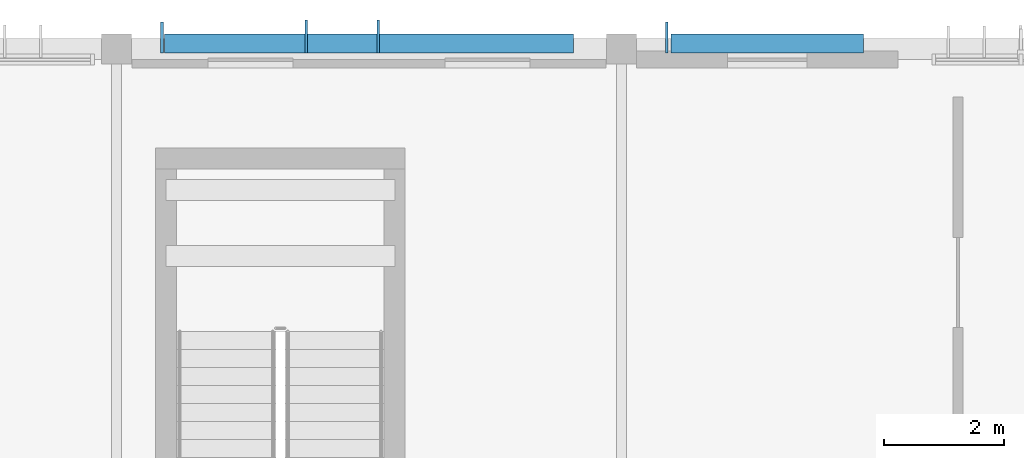
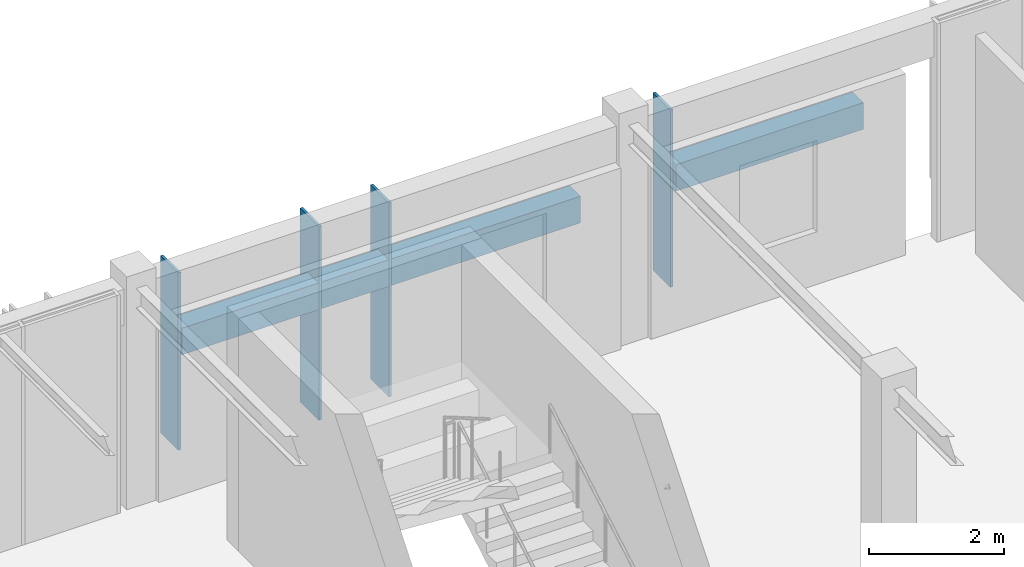
# One storey, part 31 of 122: 6 plates.
"""IFC4 building model written with IfcOpenShell, lengths in metres."""

from ifc_helpers import new_model, si_unit, direction, frame, origin, origin_2d, place, context, subcontext, project, spatial, rectangle, extrude, material, layer, layer_set, type_object, element, save


model = new_model("IFC4")

# Units and contexts
model_context = context("Model", 3, precision=1e-05, world=origin(), true_north=direction((0.0, 1.0)))
body_context = subcontext(model_context, "Body", "Model", "MODEL_VIEW")
ifc_project = project(units=[si_unit("LENGTHUNIT", "METRE"), si_unit("AREAUNIT", "SQUARE_METRE"), si_unit("VOLUMEUNIT", "CUBIC_METRE"), si_unit("PLANEANGLEUNIT", "RADIAN"), si_unit("MASSUNIT", "GRAM", prefix="KILO")], contexts=[model_context])

# Site, building, storey
site_placement = place(None, origin())
site = spatial("IfcSite", under=ifc_project, at=site_placement, CompositionType="ELEMENT")
building_placement = place(site_placement, origin())
building = spatial("IfcBuilding", under=site, at=building_placement, Name="Tazoul Stagehouse", CompositionType="ELEMENT")
storey_placement = place(building_placement, frame((0.0, 0.0, 4.800048828125)))
storey = spatial("IfcBuildingStorey", under=building, at=storey_placement, Name="L01", CompositionType="ELEMENT", Elevation=4.800048828125)

# Plates
ifc_material = material(Name="Anodised Bronze Aluminium 6063-T6", Category="aluminium")
ifc_layer_1 = layer(ifc_material, 0.52001953125, Name="Anodised Bronze Aluminium 6063-T6")
ifc_layer_set_1 = layer_set([ifc_layer_1], Name="Anodised Bronze Aluminium 6063-T6")
plate_type_1 = type_object("IfcPlateType", Name="Parametric Terracotta-Bronze Solar Fin 520x3200", PredefinedType="USERDEFINED", material=ifc_layer_set_1)
for number, where, z_axis, x_axis, name in (
    (1, (117.7548828125, 111.989990234375, 0.6201171875), (0.0, 0.0, 1.0), (1.0, 0.0, 0.0), "L01 Parametric Solar Fin SFN-18 (WALL-V3-N2-L01-S1-01)"),
    (2, (126.155029296875, 111.989990234375, 0.6201171875), (0.0, 0.0, 1.0), (1.0, 0.0, 0.0), "L01 Parametric Solar Fin SFN-18 (WALL-V3-N2-L01-S2-01)"),
):
    element("IfcPlate", number, at=place(storey_placement, frame(where, z_axis=z_axis, x_axis=x_axis)), inside=storey, type_object=plate_type_1, Name=name, ObjectType="SOLAR FIN", PredefinedType="USERDEFINED", context=body_context, shape_type="SweptSolid", body=[
        extrude(rectangle(XDim=0.044921875, YDim=0.52001953125, at=origin_2d()), origin(), (0.0, 0.0, 1.0), 3.199951171875),
    ])
ifc_layer_2 = layer(ifc_material, 0.550048828125, Name="Anodised Bronze Aluminium 6063-T6")
ifc_layer_set_2 = layer_set([ifc_layer_2], Name="Anodised Bronze Aluminium 6063-T6")
plate_type_2 = type_object("IfcPlateType", Name="Parametric Terracotta-Bronze Solar Fin 550x3500", PredefinedType="USERDEFINED", material=ifc_layer_set_2)
for number, where, z_axis, x_axis, name in (
    (3, (120.155029296875, 112.0048828125, 0.320068359375), (0.0, 0.0, 1.0), (1.0, 0.0, 0.0), "L01 Parametric Solar Fin SFN-21 (WALL-V3-N2-L01-S1-03)"),
    (4, (121.35498046875, 112.0048828125, 0.320068359375), (0.0, 0.0, 1.0), (1.0, 0.0, 0.0), "L01 Parametric Solar Fin SFN-21 (WALL-V3-N2-L01-S1-04)"),
):
    element("IfcPlate", number, at=place(storey_placement, frame(where, z_axis=z_axis, x_axis=x_axis)), inside=storey, type_object=plate_type_2, Name=name, ObjectType="SOLAR FIN", PredefinedType="USERDEFINED", context=body_context, shape_type="SweptSolid", body=[
        extrude(rectangle(XDim=0.044921875, YDim=0.550048828125, at=origin_2d()), origin(), (0.0, 0.0, 1.0), 3.5),
    ])
ifc_layer_3 = layer(ifc_material, 0.320068359375, Name="Anodised Bronze Aluminium 6063-T6")
ifc_layer_set_3 = layer_set([ifc_layer_3], Name="Anodised Bronze Aluminium 6063-T6")
plate_type_3 = type_object("IfcPlateType", Name="Sculpted Facade Spandrel Ribbon 3200x480", PredefinedType="USERDEFINED", material=ifc_layer_set_3)
plate_1_placement = place(storey_placement, frame((127.827392578125, 111.889892578125, 2.321044921875), z_axis=(0.0, 0.0, 1.0), x_axis=(1.0, 0.0, 0.0)))
element("IfcPlate", 5, at=plate_1_placement, inside=storey, type_object=plate_type_3, Name="L01 Sculpted Facade Spandrel Ribbon FRB-04 (WALL-V3-N2-L01-S2)", ObjectType="FACADE RIBBON", PredefinedType="USERDEFINED", context=body_context, shape_type="SweptSolid", body=[
    extrude(rectangle(XDim=3.199951171875, YDim=0.320068359375, at=origin_2d()), origin(), (0.0, 0.0, 1.0), 0.47998046875),
])
ifc_layer_4 = layer(ifc_material, 0.320068359375, Name="Anodised Bronze Aluminium 6063-T6")
ifc_layer_set_4 = layer_set([ifc_layer_4], Name="Anodised Bronze Aluminium 6063-T6")
plate_type_4 = type_object("IfcPlateType", Name="Sculpted Facade Spandrel Ribbon 6800x480", PredefinedType="USERDEFINED", material=ifc_layer_set_4)
plate_2_placement = place(storey_placement, frame((121.199951171875, 111.889892578125, 2.321044921875), z_axis=(0.0, 0.0, 1.0), x_axis=(1.0, 0.0, 0.0)))
element("IfcPlate", 6, at=plate_2_placement, inside=storey, type_object=plate_type_4, Name="L01 Sculpted Facade Spandrel Ribbon FRB-10 (WALL-V3-N2-L01-S1)", ObjectType="FACADE RIBBON", PredefinedType="USERDEFINED", context=body_context, shape_type="SweptSolid", body=[
    extrude(rectangle(XDim=6.800048828125, YDim=0.320068359375, at=origin_2d()), origin(), (0.0, 0.0, 1.0), 0.47998046875),
])

save(model, "model.ifc")
